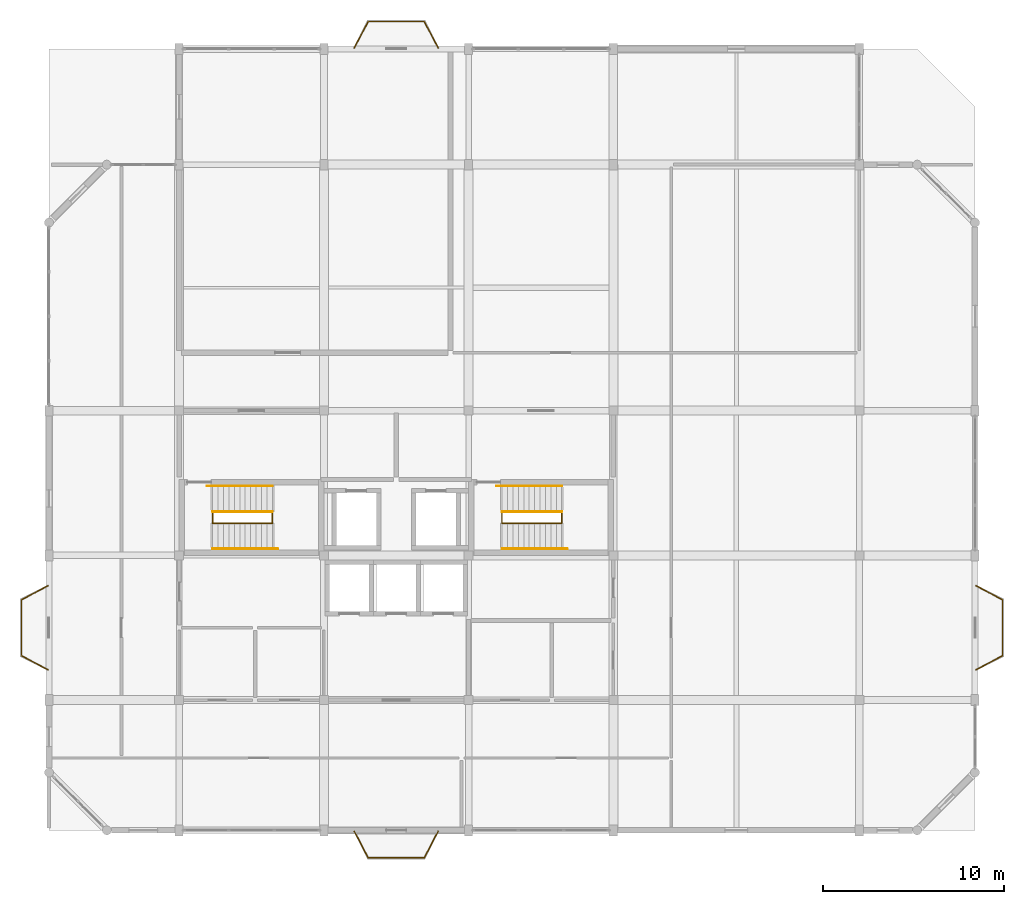
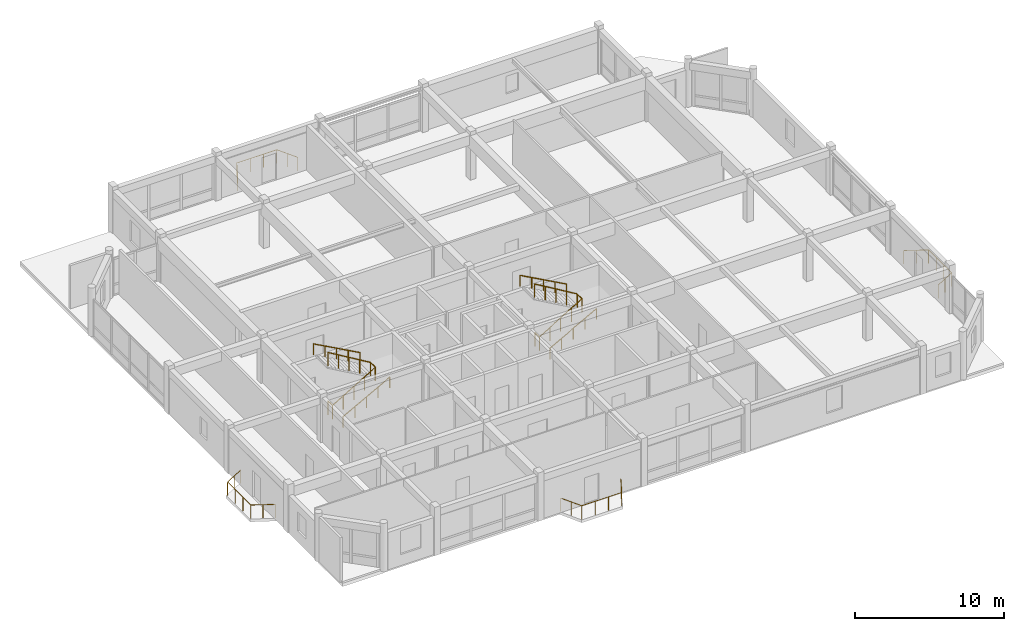
# One storey, part 12 of 12: 12 railings.
"""IFC4 building model written with IfcOpenShell, lengths in metres."""

from ifc_helpers import new_model, si_unit, direction, frame, origin, origin_2d, place, context, subcontext, project, spatial, circle, extrude, material, type_object, element, save


model = new_model("IFC4")

# Units and contexts
model_context = context("Model", 3, precision=1e-05, world=origin(), true_north=direction((0.0, 1.0)))
body_context = subcontext(model_context, "Body", "Model", "MODEL_VIEW")
ifc_project = project(units=[si_unit("LENGTHUNIT", "METRE"), si_unit("AREAUNIT", "SQUARE_METRE"), si_unit("VOLUMEUNIT", "CUBIC_METRE"), si_unit("PLANEANGLEUNIT", "RADIAN"), si_unit("MASSUNIT", "GRAM", prefix="KILO")], contexts=[model_context])

# Site, building, storey
site_placement = place(None, origin())
site = spatial("IfcSite", under=ifc_project, at=site_placement, CompositionType="ELEMENT")
building_placement = place(site_placement, origin())
building = spatial("IfcBuilding", under=site, at=building_placement, Name="Vellmiral Cinema and Media Centre", CompositionType="ELEMENT")
storey_placement = place(building_placement, frame((0.0, 0.0, 62.64990234375)))
storey = spatial("IfcBuildingStorey", under=building, at=storey_placement, Name="L15", CompositionType="ELEMENT", Elevation=62.64990234375)

# Railings
ifc_material_1 = material(Name="Forged Wrought-Iron Mirador Guardrail", Category="steel")
railing_type_1 = type_object("IfcRailingType", Name="RL-BAL-MIRA-1120", PredefinedType="BALUSTRADE", material=ifc_material_1)
railing_1_placement = place(storey_placement, frame((168.050048828125, 80.8798828125, 0.0)))
element("IfcRailing", 1, at=railing_1_placement, inside=storey, type_object=railing_type_1, Name="Mirador Balcony Guardrail L15-E", PredefinedType="BALUSTRADE", context=body_context, shape_type="SweptSolid", body=[
    extrude(circle(Radius=0.02392578125, at=origin_2d()), frame((0.0, 0.0, 1.09619140625), z_axis=(0.885822896277, 0.464023486939, 0.0), x_axis=(-0.464023486939, 0.885822896277, 0.0)), (0.0, 0.0, 1.0), 1.659423828125),
    extrude(circle(Radius=0.02392578125, at=origin_2d()), frame((1.469970703125, 0.77001953125, 1.09619140625), z_axis=(0.0, 1.0, 0.0), x_axis=(-1.0, 0.0, 0.0)), (0.0, 0.0, 1.0), 3.10009765625),
    extrude(circle(Radius=0.02392578125, at=origin_2d()), frame((1.469970703125, 3.8701171875, 1.09619140625), z_axis=(-0.885822896277, 0.464023486939, 0.0), x_axis=(-0.464023486939, -0.885822896277, 0.0)), (0.0, 0.0, 1.0), 1.659423828125),
    extrude(circle(Radius=0.02099609375, at=origin_2d()), origin(), (0.0, 0.0, 1.0), 1.072021484375),
    extrude(circle(Radius=0.02099609375, at=origin_2d()), frame((0.73486328125, 0.385009765625, 0.0)), (0.0, 0.0, 1.0), 1.072021484375),
    extrude(circle(Radius=0.02099609375, at=origin_2d()), frame((1.469970703125, 0.77001953125, 0.0)), (0.0, 0.0, 1.0), 1.072021484375),
    extrude(circle(Radius=0.02099609375, at=origin_2d()), frame((1.469970703125, 1.803466796875, 0.0)), (0.0, 0.0, 1.0), 1.072021484375),
    extrude(circle(Radius=0.02099609375, at=origin_2d()), frame((1.469970703125, 2.836669921875, 0.0)), (0.0, 0.0, 1.0), 1.072021484375),
    extrude(circle(Radius=0.02099609375, at=origin_2d()), frame((1.469970703125, 3.8701171875, 0.0)), (0.0, 0.0, 1.0), 1.072021484375),
    extrude(circle(Radius=0.02099609375, at=origin_2d()), frame((0.73486328125, 4.255126953125, 0.0)), (0.0, 0.0, 1.0), 1.072021484375),
    extrude(circle(Radius=0.02099609375, at=origin_2d()), frame((0.0, 4.64013671875, 0.0)), (0.0, 0.0, 1.0), 1.072021484375),
])
railing_2_placement = place(storey_placement, frame((138.320068359375, 115.25, 0.0)))
element("IfcRailing", 2, at=railing_2_placement, inside=storey, type_object=railing_type_1, Name="Mirador Balcony Guardrail L15-N", PredefinedType="BALUSTRADE", context=body_context, shape_type="SweptSolid", body=[
    extrude(circle(Radius=0.02392578125, at=origin_2d()), frame((0.0, 0.0, 1.09619140625), z_axis=(-0.464023486939, 0.885822896277, 0.0), x_axis=(-0.885822896277, -0.464023486939, 0.0)), (0.0, 0.0, 1.0), 1.659423828125),
    extrude(circle(Radius=0.02392578125, at=origin_2d()), frame((-0.77001953125, 1.469970703125, 1.09619140625), z_axis=(-1.0, 0.0, 0.0), x_axis=(0.0, -1.0, 0.0)), (0.0, 0.0, 1.0), 3.10009765625),
    extrude(circle(Radius=0.02392578125, at=origin_2d()), frame((-3.8701171875, 1.469970703125, 1.09619140625), z_axis=(-0.464023486939, -0.885822896277, 0.0), x_axis=(0.885822896277, -0.464023486939, 0.0)), (0.0, 0.0, 1.0), 1.659423828125),
    extrude(circle(Radius=0.02099609375, at=origin_2d()), origin(), (0.0, 0.0, 1.0), 1.072021484375),
    extrude(circle(Radius=0.02099609375, at=origin_2d()), frame((-0.385009765625, 0.73486328125, 0.0)), (0.0, 0.0, 1.0), 1.072021484375),
    extrude(circle(Radius=0.02099609375, at=origin_2d()), frame((-0.77001953125, 1.469970703125, 0.0)), (0.0, 0.0, 1.0), 1.072021484375),
    extrude(circle(Radius=0.02099609375, at=origin_2d()), frame((-1.803466796875, 1.469970703125, 0.0)), (0.0, 0.0, 1.0), 1.072021484375),
    extrude(circle(Radius=0.02099609375, at=origin_2d()), frame((-2.836669921875, 1.469970703125, 0.0)), (0.0, 0.0, 1.0), 1.072021484375),
    extrude(circle(Radius=0.02099609375, at=origin_2d()), frame((-3.8701171875, 1.469970703125, 0.0)), (0.0, 0.0, 1.0), 1.072021484375),
    extrude(circle(Radius=0.02099609375, at=origin_2d()), frame((-4.255126953125, 0.73486328125, 0.0)), (0.0, 0.0, 1.0), 1.072021484375),
    extrude(circle(Radius=0.02099609375, at=origin_2d()), frame((-4.64013671875, 0.0, 0.0)), (0.0, 0.0, 1.0), 1.072021484375),
])
railing_3_placement = place(storey_placement, frame((116.75, 85.52001953125, 0.0)))
element("IfcRailing", 3, at=railing_3_placement, inside=storey, type_object=railing_type_1, Name="Mirador Balcony Guardrail L15-W", PredefinedType="BALUSTRADE", context=body_context, shape_type="SweptSolid", body=[
    extrude(circle(Radius=0.02392578125, at=origin_2d()), frame((0.0, 0.0, 1.09619140625), z_axis=(-0.885822896277, -0.464023486939, 0.0), x_axis=(0.464023486939, -0.885822896277, 0.0)), (0.0, 0.0, 1.0), 1.659423828125),
    extrude(circle(Radius=0.02392578125, at=origin_2d()), frame((-1.469970703125, -0.77001953125, 1.09619140625), z_axis=(0.0, -1.0, 0.0), x_axis=(1.0, 0.0, 0.0)), (0.0, 0.0, 1.0), 3.10009765625),
    extrude(circle(Radius=0.02392578125, at=origin_2d()), frame((-1.469970703125, -3.8701171875, 1.09619140625), z_axis=(0.885822896277, -0.464023486939, 0.0), x_axis=(0.464023486939, 0.885822896277, 0.0)), (0.0, 0.0, 1.0), 1.659423828125),
    extrude(circle(Radius=0.02099609375, at=origin_2d()), origin(), (0.0, 0.0, 1.0), 1.072021484375),
    extrude(circle(Radius=0.02099609375, at=origin_2d()), frame((-0.73486328125, -0.385009765625, 0.0)), (0.0, 0.0, 1.0), 1.072021484375),
    extrude(circle(Radius=0.02099609375, at=origin_2d()), frame((-1.469970703125, -0.77001953125, 0.0)), (0.0, 0.0, 1.0), 1.072021484375),
    extrude(circle(Radius=0.02099609375, at=origin_2d()), frame((-1.469970703125, -1.803466796875, 0.0)), (0.0, 0.0, 1.0), 1.072021484375),
    extrude(circle(Radius=0.02099609375, at=origin_2d()), frame((-1.469970703125, -2.836669921875, 0.0)), (0.0, 0.0, 1.0), 1.072021484375),
    extrude(circle(Radius=0.02099609375, at=origin_2d()), frame((-1.469970703125, -3.8701171875, 0.0)), (0.0, 0.0, 1.0), 1.072021484375),
    extrude(circle(Radius=0.02099609375, at=origin_2d()), frame((-0.73486328125, -4.255126953125, 0.0)), (0.0, 0.0, 1.0), 1.072021484375),
    extrude(circle(Radius=0.02099609375, at=origin_2d()), frame((0.0, -4.64013671875, 0.0)), (0.0, 0.0, 1.0), 1.072021484375),
])
railing_4_placement = place(storey_placement, frame((133.679931640625, 71.949951171875, 0.0)))
element("IfcRailing", 4, at=railing_4_placement, inside=storey, type_object=railing_type_1, Name="Mirador Balcony Guardrail L15-S", PredefinedType="BALUSTRADE", context=body_context, shape_type="SweptSolid", body=[
    extrude(circle(Radius=0.02392578125, at=origin_2d()), frame((0.0, 0.0, 1.09619140625), z_axis=(0.464023486939, -0.885822896277, 0.0), x_axis=(0.885822896277, 0.464023486939, 0.0)), (0.0, 0.0, 1.0), 1.659423828125),
    extrude(circle(Radius=0.02392578125, at=origin_2d()), frame((0.77001953125, -1.469970703125, 1.09619140625), z_axis=(1.0, 0.0, 0.0), x_axis=(0.0, 1.0, 0.0)), (0.0, 0.0, 1.0), 3.10009765625),
    extrude(circle(Radius=0.02392578125, at=origin_2d()), frame((3.8701171875, -1.469970703125, 1.09619140625), z_axis=(0.464023486939, 0.885822896277, 0.0), x_axis=(-0.885822896277, 0.464023486939, 0.0)), (0.0, 0.0, 1.0), 1.659423828125),
    extrude(circle(Radius=0.02099609375, at=origin_2d()), origin(), (0.0, 0.0, 1.0), 1.072021484375),
    extrude(circle(Radius=0.02099609375, at=origin_2d()), frame((0.385009765625, -0.73486328125, 0.0)), (0.0, 0.0, 1.0), 1.072021484375),
    extrude(circle(Radius=0.02099609375, at=origin_2d()), frame((0.77001953125, -1.469970703125, 0.0)), (0.0, 0.0, 1.0), 1.072021484375),
    extrude(circle(Radius=0.02099609375, at=origin_2d()), frame((1.803466796875, -1.469970703125, 0.0)), (0.0, 0.0, 1.0), 1.072021484375),
    extrude(circle(Radius=0.02099609375, at=origin_2d()), frame((2.836669921875, -1.469970703125, 0.0)), (0.0, 0.0, 1.0), 1.072021484375),
    extrude(circle(Radius=0.02099609375, at=origin_2d()), frame((3.8701171875, -1.469970703125, 0.0)), (0.0, 0.0, 1.0), 1.072021484375),
    extrude(circle(Radius=0.02099609375, at=origin_2d()), frame((4.255126953125, -0.73486328125, 0.0)), (0.0, 0.0, 1.0), 1.072021484375),
    extrude(circle(Radius=0.02099609375, at=origin_2d()), frame((4.64013671875, 0.0, 0.0)), (0.0, 0.0, 1.0), 1.072021484375),
])
ifc_material_2 = material(Name="Brushed Stainless Steel Handrail", Category="steel")
railing_type_2 = type_object("IfcRailingType", Name="RL-HANDRAIL-900", PredefinedType="HANDRAIL", material=ifc_material_2)
railing_5_placement = place(storey_placement, frame((125.85009765625, 87.56005859375, 0.164794921875)))
element("IfcRailing", 5, at=railing_5_placement, inside=storey, type_object=railing_type_2, Name="Stair Wall Handrail ST-T1 L15-1", PredefinedType="HANDRAIL", context=body_context, shape_type="SweptSolid", body=[
    extrude(circle(Radius=0.02392578125, at=origin_2d()), frame((0.0, 0.0, 0.8759765625), z_axis=(0.876736384165, 0.0, 0.480971218142), x_axis=(0.0, 1.0, 0.0)), (0.0, 0.0, 1.0), 4.10595703125),
    extrude(circle(Radius=0.02099609375, at=origin_2d()), origin(), (0.0, 0.0, 1.0), 0.851806640625),
    extrude(circle(Radius=0.02099609375, at=origin_2d()), frame((0.89990234375, 0.0, 0.49365234375)), (0.0, 0.0, 1.0), 0.851806640625),
    extrude(circle(Radius=0.02099609375, at=origin_2d()), frame((1.7998046875, 0.0, 0.9873046875)), (0.0, 0.0, 1.0), 0.851806640625),
    extrude(circle(Radius=0.02099609375, at=origin_2d()), frame((2.699951171875, 0.0, 1.481201171875)), (0.0, 0.0, 1.0), 0.851806640625),
    extrude(circle(Radius=0.02099609375, at=origin_2d()), frame((3.599853515625, 0.0, 1.974853515625)), (0.0, 0.0, 1.0), 0.851806640625),
])
railing_6_placement = place(storey_placement, frame((129.14990234375, 91.0400390625, 2.1396484375)))
element("IfcRailing", 6, at=railing_6_placement, inside=storey, type_object=railing_type_2, Name="Stair Wall Handrail ST-T1 L15-2", PredefinedType="HANDRAIL", context=body_context, shape_type="SweptSolid", body=[
    extrude(circle(Radius=0.02392578125, at=origin_2d()), frame((0.0, 0.0, 0.8759765625), z_axis=(-0.87671131034, 0.0, 0.481016921034), x_axis=(0.0, -1.0, 0.0)), (0.0, 0.0, 1.0), 4.106201171875),
    extrude(circle(Radius=0.02099609375, at=origin_2d()), origin(), (0.0, 0.0, 1.0), 0.851806640625),
    extrude(circle(Radius=0.02099609375, at=origin_2d()), frame((-0.89990234375, 0.0, 0.49365234375)), (0.0, 0.0, 1.0), 0.851806640625),
    extrude(circle(Radius=0.02099609375, at=origin_2d()), frame((-1.7998046875, 0.0, 0.987548828125)), (0.0, 0.0, 1.0), 0.851806640625),
    extrude(circle(Radius=0.02099609375, at=origin_2d()), frame((-2.699951171875, 0.0, 1.4814453125)), (0.0, 0.0, 1.0), 0.851806640625),
    extrude(circle(Radius=0.02099609375, at=origin_2d()), frame((-3.599853515625, 0.0, 1.97509765625)), (0.0, 0.0, 1.0), 0.851806640625),
])
railing_7_placement = place(storey_placement, frame((141.85009765625, 87.56005859375, 0.164794921875)))
element("IfcRailing", 7, at=railing_7_placement, inside=storey, type_object=railing_type_2, Name="Stair Wall Handrail ST-T2 L15-1", PredefinedType="HANDRAIL", context=body_context, shape_type="SweptSolid", body=[
    extrude(circle(Radius=0.02392578125, at=origin_2d()), frame((0.0, 0.0, 0.8759765625), z_axis=(0.876736384165, 0.0, 0.480971218142), x_axis=(0.0, 1.0, 0.0)), (0.0, 0.0, 1.0), 4.10595703125),
    extrude(circle(Radius=0.02099609375, at=origin_2d()), origin(), (0.0, 0.0, 1.0), 0.851806640625),
    extrude(circle(Radius=0.02099609375, at=origin_2d()), frame((0.89990234375, 0.0, 0.49365234375)), (0.0, 0.0, 1.0), 0.851806640625),
    extrude(circle(Radius=0.02099609375, at=origin_2d()), frame((1.7998046875, 0.0, 0.9873046875)), (0.0, 0.0, 1.0), 0.851806640625),
    extrude(circle(Radius=0.02099609375, at=origin_2d()), frame((2.699951171875, 0.0, 1.481201171875)), (0.0, 0.0, 1.0), 0.851806640625),
    extrude(circle(Radius=0.02099609375, at=origin_2d()), frame((3.599853515625, 0.0, 1.974853515625)), (0.0, 0.0, 1.0), 0.851806640625),
])
railing_8_placement = place(storey_placement, frame((145.14990234375, 91.0400390625, 2.1396484375)))
element("IfcRailing", 8, at=railing_8_placement, inside=storey, type_object=railing_type_2, Name="Stair Wall Handrail ST-T2 L15-2", PredefinedType="HANDRAIL", context=body_context, shape_type="SweptSolid", body=[
    extrude(circle(Radius=0.02392578125, at=origin_2d()), frame((0.0, 0.0, 0.8759765625), z_axis=(-0.87671131034, 0.0, 0.481016921034), x_axis=(0.0, -1.0, 0.0)), (0.0, 0.0, 1.0), 4.106201171875),
    extrude(circle(Radius=0.02099609375, at=origin_2d()), origin(), (0.0, 0.0, 1.0), 0.851806640625),
    extrude(circle(Radius=0.02099609375, at=origin_2d()), frame((-0.89990234375, 0.0, 0.49365234375)), (0.0, 0.0, 1.0), 0.851806640625),
    extrude(circle(Radius=0.02099609375, at=origin_2d()), frame((-1.7998046875, 0.0, 0.987548828125)), (0.0, 0.0, 1.0), 0.851806640625),
    extrude(circle(Radius=0.02099609375, at=origin_2d()), frame((-2.699951171875, 0.0, 1.4814453125)), (0.0, 0.0, 1.0), 0.851806640625),
    extrude(circle(Radius=0.02099609375, at=origin_2d()), frame((-3.599853515625, 0.0, 1.97509765625)), (0.0, 0.0, 1.0), 0.851806640625),
])
ifc_material_3 = material(Name="Painted Steel Stair Guardrail", Category="steel")
railing_type_3 = type_object("IfcRailingType", Name="RL-STAIR-GUARD-1120", PredefinedType="GUARDRAIL", material=ifc_material_3)
railing_9_placement = place(storey_placement, frame((125.85009765625, 89.580078125, 0.0)))
element("IfcRailing", 9, at=railing_9_placement, inside=storey, type_object=railing_type_3, Name="Stair Well Guard ST-T1 L15-A", PredefinedType="GUARDRAIL", context=body_context, shape_type="SweptSolid", body=[
    extrude(circle(Radius=0.02392578125, at=origin_2d()), frame((0.0, 0.0, 1.09619140625), z_axis=(0.0, -1.0, 0.0), x_axis=(1.0, 0.0, 0.0)), (0.0, 0.0, 1.0), 0.60009765625),
    extrude(circle(Radius=0.02392578125, at=origin_2d()), frame((0.0, -0.60009765625, 1.09619140625), z_axis=(0.858041382162, 0.0, 0.513580555023), x_axis=(0.0, 1.0, 0.0)), (0.0, 0.0, 1.0), 3.845703125),
    extrude(circle(Radius=0.02392578125, at=origin_2d()), frame((3.2998046875, -0.60009765625, 3.0712890625), z_axis=(0.0, 1.0, 0.0), x_axis=(-1.0, 0.0, 0.0)), (0.0, 0.0, 1.0), 0.64013671875),
    extrude(circle(Radius=0.02099609375, at=origin_2d()), origin(), (0.0, 0.0, 1.0), 1.072021484375),
    extrude(circle(Radius=0.02099609375, at=origin_2d()), frame((0.0, -0.60009765625, 0.0)), (0.0, 0.0, 1.0), 1.072021484375),
    extrude(circle(Radius=0.02099609375, at=origin_2d()), frame((0.824951171875, -0.60009765625, 0.49365234375)), (0.0, 0.0, 1.0), 1.072021484375),
    extrude(circle(Radius=0.02099609375, at=origin_2d()), frame((1.64990234375, -0.60009765625, 0.987548828125)), (0.0, 0.0, 1.0), 1.072021484375),
    extrude(circle(Radius=0.02099609375, at=origin_2d()), frame((2.474853515625, -0.60009765625, 1.4814453125)), (0.0, 0.0, 1.0), 1.072021484375),
    extrude(circle(Radius=0.02099609375, at=origin_2d()), frame((3.2998046875, -0.60009765625, 1.97509765625)), (0.0, 0.0, 1.0), 1.072021484375),
    extrude(circle(Radius=0.02099609375, at=origin_2d()), frame((3.2998046875, 0.0400390625, 1.97509765625)), (0.0, 0.0, 1.0), 1.072021484375),
])
railing_10_placement = place(storey_placement, frame((129.14990234375, 89.6201171875, 1.97509765625)))
element("IfcRailing", 10, at=railing_10_placement, inside=storey, type_object=railing_type_3, Name="Stair Well Guard ST-T1 L15-B", PredefinedType="GUARDRAIL", context=body_context, shape_type="SweptSolid", body=[
    extrude(circle(Radius=0.02392578125, at=origin_2d()), frame((0.0, 0.0, 1.09619140625), z_axis=(-0.858041382162, 0.0, 0.513580555023), x_axis=(0.0, -1.0, 0.0)), (0.0, 0.0, 1.0), 3.845703125),
    extrude(circle(Radius=0.02099609375, at=origin_2d()), origin(), (0.0, 0.0, 1.0), 1.072021484375),
    extrude(circle(Radius=0.02099609375, at=origin_2d()), frame((-0.824951171875, 0.0, 0.49365234375)), (0.0, 0.0, 1.0), 1.072021484375),
    extrude(circle(Radius=0.02099609375, at=origin_2d()), frame((-1.64990234375, 0.0, 0.987548828125)), (0.0, 0.0, 1.0), 1.072021484375),
    extrude(circle(Radius=0.02099609375, at=origin_2d()), frame((-2.474853515625, 0.0, 1.4814453125)), (0.0, 0.0, 1.0), 1.072021484375),
    extrude(circle(Radius=0.02099609375, at=origin_2d()), frame((-3.2998046875, 0.0, 1.97509765625)), (0.0, 0.0, 1.0), 1.072021484375),
])
railing_11_placement = place(storey_placement, frame((141.85009765625, 89.580078125, 0.0)))
element("IfcRailing", 11, at=railing_11_placement, inside=storey, type_object=railing_type_3, Name="Stair Well Guard ST-T2 L15-A", PredefinedType="GUARDRAIL", context=body_context, shape_type="SweptSolid", body=[
    extrude(circle(Radius=0.02392578125, at=origin_2d()), frame((0.0, 0.0, 1.09619140625), z_axis=(0.0, -1.0, 0.0), x_axis=(1.0, 0.0, 0.0)), (0.0, 0.0, 1.0), 0.60009765625),
    extrude(circle(Radius=0.02392578125, at=origin_2d()), frame((0.0, -0.60009765625, 1.09619140625), z_axis=(0.858041382162, 0.0, 0.513580555023), x_axis=(0.0, 1.0, 0.0)), (0.0, 0.0, 1.0), 3.845703125),
    extrude(circle(Radius=0.02392578125, at=origin_2d()), frame((3.2998046875, -0.60009765625, 3.0712890625), z_axis=(0.0, 1.0, 0.0), x_axis=(-1.0, 0.0, 0.0)), (0.0, 0.0, 1.0), 0.64013671875),
    extrude(circle(Radius=0.02099609375, at=origin_2d()), origin(), (0.0, 0.0, 1.0), 1.072021484375),
    extrude(circle(Radius=0.02099609375, at=origin_2d()), frame((0.0, -0.60009765625, 0.0)), (0.0, 0.0, 1.0), 1.072021484375),
    extrude(circle(Radius=0.02099609375, at=origin_2d()), frame((0.824951171875, -0.60009765625, 0.49365234375)), (0.0, 0.0, 1.0), 1.072021484375),
    extrude(circle(Radius=0.02099609375, at=origin_2d()), frame((1.64990234375, -0.60009765625, 0.987548828125)), (0.0, 0.0, 1.0), 1.072021484375),
    extrude(circle(Radius=0.02099609375, at=origin_2d()), frame((2.474853515625, -0.60009765625, 1.4814453125)), (0.0, 0.0, 1.0), 1.072021484375),
    extrude(circle(Radius=0.02099609375, at=origin_2d()), frame((3.2998046875, -0.60009765625, 1.97509765625)), (0.0, 0.0, 1.0), 1.072021484375),
    extrude(circle(Radius=0.02099609375, at=origin_2d()), frame((3.2998046875, 0.0400390625, 1.97509765625)), (0.0, 0.0, 1.0), 1.072021484375),
])
railing_12_placement = place(storey_placement, frame((145.14990234375, 89.6201171875, 1.97509765625)))
element("IfcRailing", 12, at=railing_12_placement, inside=storey, type_object=railing_type_3, Name="Stair Well Guard ST-T2 L15-B", PredefinedType="GUARDRAIL", context=body_context, shape_type="SweptSolid", body=[
    extrude(circle(Radius=0.02392578125, at=origin_2d()), frame((0.0, 0.0, 1.09619140625), z_axis=(-0.858041382162, 0.0, 0.513580555023), x_axis=(0.0, -1.0, 0.0)), (0.0, 0.0, 1.0), 3.845703125),
    extrude(circle(Radius=0.02099609375, at=origin_2d()), origin(), (0.0, 0.0, 1.0), 1.072021484375),
    extrude(circle(Radius=0.02099609375, at=origin_2d()), frame((-0.824951171875, 0.0, 0.49365234375)), (0.0, 0.0, 1.0), 1.072021484375),
    extrude(circle(Radius=0.02099609375, at=origin_2d()), frame((-1.64990234375, 0.0, 0.987548828125)), (0.0, 0.0, 1.0), 1.072021484375),
    extrude(circle(Radius=0.02099609375, at=origin_2d()), frame((-2.474853515625, 0.0, 1.4814453125)), (0.0, 0.0, 1.0), 1.072021484375),
    extrude(circle(Radius=0.02099609375, at=origin_2d()), frame((-3.2998046875, 0.0, 1.97509765625)), (0.0, 0.0, 1.0), 1.072021484375),
])

save(model, "model.ifc")
